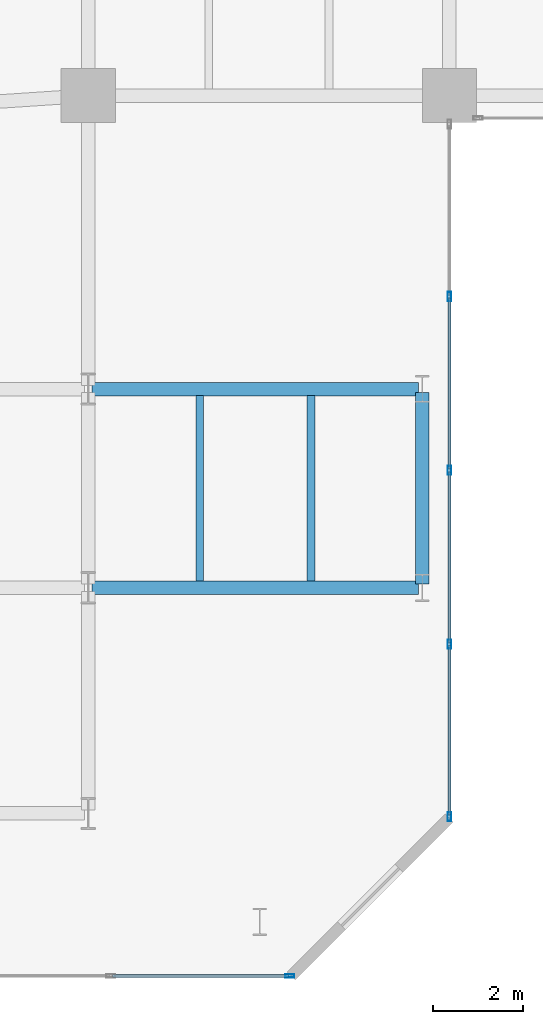
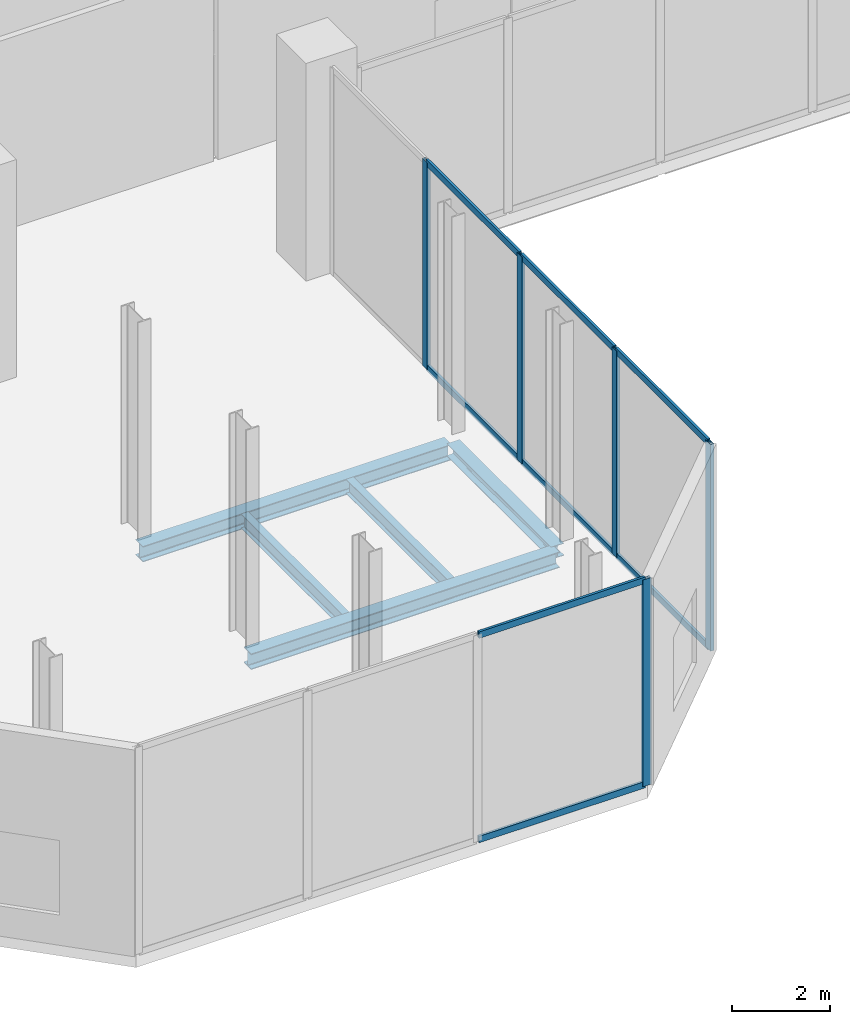
# One storey, part 4 of 18: 13 members, 5 beams, 2 elements without a shape of their own.
"""IFC4 building model written with IfcOpenShell, lengths in metres."""

from ifc_helpers import new_model, si_unit, direction, frame, origin, origin_2d, place, context, subcontext, project, spatial, hollow_rectangle, i_section, extrude, material, layer, layer_set, material_profile, profile_set, type_object, element, aggregate, save


model = new_model("IFC4")

# Units and contexts
model_context = context("Model", 3, precision=1e-05, world=origin(), true_north=direction((0.0, 1.0)))
body_context = subcontext(model_context, "Body", "Model", "MODEL_VIEW")
ifc_project = project(units=[si_unit("LENGTHUNIT", "METRE"), si_unit("AREAUNIT", "SQUARE_METRE"), si_unit("VOLUMEUNIT", "CUBIC_METRE"), si_unit("PLANEANGLEUNIT", "RADIAN"), si_unit("MASSUNIT", "GRAM", prefix="KILO")], contexts=[model_context])

# Site, building, storey
site_placement = place(None, origin())
site = spatial("IfcSite", under=ifc_project, at=site_placement, CompositionType="ELEMENT")
building_placement = place(site_placement, origin())
building = spatial("IfcBuilding", under=site, at=building_placement, Name="Catumbela Crestline Tower", CompositionType="ELEMENT")
storey_placement = place(building_placement, frame((0.0, 0.0, 148.8)))
storey = spatial("IfcBuildingStorey", under=building, at=storey_placement, Name="L38", CompositionType="ELEMENT", Elevation=148.8)

# Beams
ifc_material_1 = material(Name="Structural steel S355J2", Category="steel")
ifc_material_profile_1 = material_profile(ifc_material_1, i_section(OverallWidth=0.3, OverallDepth=0.39, WebThickness=0.011, FlangeThickness=0.019, FilletRadius=0.027, at=origin_2d()), Name="HEA 400")
ifc_profile_set_1 = profile_set([ifc_material_profile_1], Name="Structural steel S355J2")
beam_type_1 = type_object("IfcBeamType", Name="BG-HEA400", PredefinedType="BEAM", material=ifc_profile_set_1)
for number, where, z_axis, x_axis, name in (
    (1, (16.08, 13.6, -0.545), (1.0, 0.0, 0.0), (0.0, 1.0, 0.0), "L38 Beam BM-L38-WEW34"),
    (2, (16.08, 18.0, -0.545), (1.0, 0.0, 0.0), (0.0, 1.0, 0.0), "L38 Beam BM-L38-WEW36"),
):
    element("IfcBeam", number, at=place(storey_placement, frame(where, z_axis=z_axis, x_axis=x_axis)), inside=storey, type_object=beam_type_1, Name=name, PredefinedType="BEAM", context=body_context, shape_type="SweptSolid", body=[
        extrude(i_section(OverallWidth=0.3, OverallDepth=0.39, WebThickness=0.011, FlangeThickness=0.019, FilletRadius=0.027, at=origin_2d()), origin(), (0.0, 0.0, 1.0), 7.24),
    ])
ifc_material_profile_2 = material_profile(ifc_material_1, i_section(OverallWidth=0.17, OverallDepth=0.36, WebThickness=0.008, FlangeThickness=0.0127, FilletRadius=0.018, at=origin_2d()), Name="IPE 360")
ifc_profile_set_2 = profile_set([ifc_material_profile_2], Name="Structural steel S355J2")
beam_type_2 = type_object("IfcBeamType", Name="BJ-IPE360", PredefinedType="JOIST", material=ifc_profile_set_2)
for number, where, z_axis, x_axis, name in (
    (3, (18.467, 13.747, -0.53), (0.0, 1.0, 0.0), (-1.0, 0.0, 0.0), "L38 Joist JS-L38-WG48"),
    (4, (20.933, 13.747, -0.53), (0.0, 1.0, 0.0), (-1.0, 0.0, 0.0), "L38 Joist JS-L38-WG49"),
):
    element("IfcBeam", number, at=place(storey_placement, frame(where, z_axis=z_axis, x_axis=x_axis)), inside=storey, type_object=beam_type_2, Name=name, PredefinedType="JOIST", context=body_context, shape_type="SweptSolid", body=[
        extrude(i_section(OverallWidth=0.17, OverallDepth=0.36, WebThickness=0.008, FlangeThickness=0.0127, FilletRadius=0.018, at=origin_2d()), origin(), (0.0, 0.0, 1.0), 4.106),
    ])

# Curtain wall, member
ifc_material_2 = material(Name="Aluminium alloy AW-6060-T66", Category="aluminium")
ifc_layer = layer(ifc_material_2, 0.18, Name="Aluminium alloy AW-6060-T66")
ifc_layer_set = layer_set([ifc_layer], Name="Aluminium alloy AW-6060-T66")
curtain_wall_type = type_object("IfcCurtainWallType", Name="CWU-SKY", PredefinedType="USERDEFINED", material=ifc_layer_set)
curtain_wall_1_placement = place(storey_placement, origin())
curtain_wall_1 = element("IfcCurtainWall", 5, at=curtain_wall_1_placement, inside=storey, type_object=curtain_wall_type, Name="L38 Unitised Curtain Wall CW-L38-E0S1", ObjectType="UNITISED", PredefinedType="USERDEFINED")
ifc_material_profile_3 = material_profile(ifc_material_2, hollow_rectangle(XDim=0.075, YDim=0.2, WallThickness=0.005, at=origin_2d()), Name="ALU 200x75x5")
ifc_profile_set_3 = profile_set([ifc_material_profile_3], Name="Aluminium alloy AW-6060-T66")
member_type_1 = type_object("IfcMemberType", Name="MUL-200X75", PredefinedType="MULLION", material=ifc_profile_set_3)
member_1_placement = place(storey_placement, frame((20.4675, 5.0, 0.0), z_axis=(0.0, 0.0, 1.0), x_axis=(0.0, 1.0, 0.0)))
member_1 = element("IfcMember", 6, at=member_1_placement, type_object=member_type_1, Name="CWU-SKY mullion 4", PredefinedType="MULLION", context=body_context, shape_type="SweptSolid", body=[
    extrude(hollow_rectangle(XDim=0.075, YDim=0.2, WallThickness=0.005, at=origin_2d()), origin(), (0.0, 0.0, 1.0), 5.13),
])

# Curtain wall, members
curtain_wall_2_placement = place(storey_placement, origin())
curtain_wall_2 = element("IfcCurtainWall", 7, at=curtain_wall_2_placement, inside=storey, type_object=curtain_wall_type, Name="L38 Unitised Curtain Wall CW-L38-E2S1", ObjectType="UNITISED", PredefinedType="USERDEFINED")
member_2_placement = place(storey_placement, frame((24.0, 8.5325, 0.0), z_axis=(0.0, 0.0, 1.0), x_axis=(-1.0, 0.0, 0.0)))
member_2 = element("IfcMember", 8, at=member_2_placement, type_object=member_type_1, Name="CWU-SKY mullion 1", PredefinedType="MULLION", context=body_context, shape_type="SweptSolid", body=[
    extrude(hollow_rectangle(XDim=0.075, YDim=0.2, WallThickness=0.005, at=origin_2d()), origin(), (0.0, 0.0, 1.0), 5.13),
])
member_3_placement = place(storey_placement, frame((24.0, 12.35, 0.0), z_axis=(0.0, 0.0, 1.0), x_axis=(-1.0, 0.0, 0.0)))
member_3 = element("IfcMember", 9, at=member_3_placement, type_object=member_type_1, Name="CWU-SKY mullion 2", PredefinedType="MULLION", context=body_context, shape_type="SweptSolid", body=[
    extrude(hollow_rectangle(XDim=0.075, YDim=0.2, WallThickness=0.005, at=origin_2d()), origin(), (0.0, 0.0, 1.0), 5.13),
])
member_4_placement = place(storey_placement, frame((24.0, 16.2, 0.0), z_axis=(0.0, 0.0, 1.0), x_axis=(-1.0, 0.0, 0.0)))
member_4 = element("IfcMember", 10, at=member_4_placement, type_object=member_type_1, Name="CWU-SKY mullion 3", PredefinedType="MULLION", context=body_context, shape_type="SweptSolid", body=[
    extrude(hollow_rectangle(XDim=0.075, YDim=0.2, WallThickness=0.005, at=origin_2d()), origin(), (0.0, 0.0, 1.0), 5.13),
])
member_5_placement = place(storey_placement, frame((24.0, 20.05, 0.0), z_axis=(0.0, 0.0, 1.0), x_axis=(-1.0, 0.0, 0.0)))
member_5 = element("IfcMember", 11, at=member_5_placement, type_object=member_type_1, Name="CWU-SKY mullion 4", PredefinedType="MULLION", context=body_context, shape_type="SweptSolid", body=[
    extrude(hollow_rectangle(XDim=0.075, YDim=0.2, WallThickness=0.005, at=origin_2d()), origin(), (0.0, 0.0, 1.0), 5.13),
])

# Beam
ifc_material_profile_4 = material_profile(ifc_material_1, i_section(OverallWidth=0.3, OverallDepth=0.31, WebThickness=0.009, FlangeThickness=0.0155, FilletRadius=0.027, at=origin_2d()), Name="HEA 320")
ifc_profile_set_4 = profile_set([ifc_material_profile_4], Name="Structural steel S355J2")
beam_type_3 = type_object("IfcBeamType", Name="BS-HEA320", PredefinedType="SPANDREL", material=ifc_profile_set_4)
beam_placement = place(storey_placement, frame((23.4, 13.68, -0.505), z_axis=(0.0, 1.0, 0.0), x_axis=(-1.0, 0.0, 0.0)))
element("IfcBeam", 12, at=beam_placement, inside=storey, type_object=beam_type_3, Name="L38 Spandrel SP-L38-WNS43", PredefinedType="SPANDREL", context=body_context, shape_type="SweptSolid", body=[
    extrude(i_section(OverallWidth=0.3, OverallDepth=0.31, WebThickness=0.009, FlangeThickness=0.0155, FilletRadius=0.027, at=origin_2d()), origin(), (0.0, 0.0, 1.0), 4.24),
])

# Member
ifc_material_profile_5 = material_profile(ifc_material_2, hollow_rectangle(XDim=0.06, YDim=0.16, WallThickness=0.004, at=origin_2d()), Name="ALU 160x60x4")
ifc_profile_set_5 = profile_set([ifc_material_profile_5], Name="Aluminium alloy AW-6060-T66")
member_type_2 = type_object("IfcMemberType", Name="TRN-160X60", PredefinedType="USERDEFINED", material=ifc_profile_set_5)
member_6_placement = place(storey_placement, frame((16.5325, 5.0, 0.03), z_axis=(1.0, 0.0, 0.0), x_axis=(0.0, 1.0, 0.0)))
member_6 = element("IfcMember", 13, at=member_6_placement, type_object=member_type_2, Name="CWU-SKY transom 3.1", ObjectType="TRANSOM", PredefinedType="USERDEFINED", context=body_context, shape_type="SweptSolid", body=[
    extrude(hollow_rectangle(XDim=0.06, YDim=0.16, WallThickness=0.004, at=origin_2d()), origin(), (0.0, 0.0, 1.0), 3.9025),
])

member_7_placement = place(storey_placement, frame((16.5325, 5.0, 5.1), z_axis=(1.0, 0.0, 0.0), x_axis=(0.0, 1.0, 0.0)))
member_7 = element("IfcMember", 14, at=member_7_placement, type_object=member_type_2, Name="CWU-SKY transom 3.2", ObjectType="TRANSOM", PredefinedType="USERDEFINED", context=body_context, shape_type="SweptSolid", body=[
    extrude(hollow_rectangle(XDim=0.06, YDim=0.16, WallThickness=0.004, at=origin_2d()), origin(), (0.0, 0.0, 1.0), 3.9025),
])

aggregate(curtain_wall_1, [member_1, member_6, member_7])

member_8_placement = place(storey_placement, frame((24.0, 8.565, 0.03), z_axis=(0.0, 1.0, 0.0), x_axis=(-1.0, 0.0, 0.0)))
member_8 = element("IfcMember", 15, at=member_8_placement, type_object=member_type_2, Name="CWU-SKY transom 1.1", ObjectType="TRANSOM", PredefinedType="USERDEFINED", context=body_context, shape_type="SweptSolid", body=[
    extrude(hollow_rectangle(XDim=0.06, YDim=0.16, WallThickness=0.004, at=origin_2d()), origin(), (0.0, 0.0, 1.0), 3.7525),
])

member_9_placement = place(storey_placement, frame((24.0, 8.565, 5.1), z_axis=(0.0, 1.0, 0.0), x_axis=(-1.0, 0.0, 0.0)))
member_9 = element("IfcMember", 16, at=member_9_placement, type_object=member_type_2, Name="CWU-SKY transom 1.2", ObjectType="TRANSOM", PredefinedType="USERDEFINED", context=body_context, shape_type="SweptSolid", body=[
    extrude(hollow_rectangle(XDim=0.06, YDim=0.16, WallThickness=0.004, at=origin_2d()), origin(), (0.0, 0.0, 1.0), 3.7525),
])

member_10_placement = place(storey_placement, frame((24.0, 12.3825, 0.03), z_axis=(0.0, 1.0, 0.0), x_axis=(-1.0, 0.0, 0.0)))
member_10 = element("IfcMember", 17, at=member_10_placement, type_object=member_type_2, Name="CWU-SKY transom 2.1", ObjectType="TRANSOM", PredefinedType="USERDEFINED", context=body_context, shape_type="SweptSolid", body=[
    extrude(hollow_rectangle(XDim=0.06, YDim=0.16, WallThickness=0.004, at=origin_2d()), origin(), (0.0, 0.0, 1.0), 3.785),
])

member_11_placement = place(storey_placement, frame((24.0, 12.3825, 5.1), z_axis=(0.0, 1.0, 0.0), x_axis=(-1.0, 0.0, 0.0)))
member_11 = element("IfcMember", 18, at=member_11_placement, type_object=member_type_2, Name="CWU-SKY transom 2.2", ObjectType="TRANSOM", PredefinedType="USERDEFINED", context=body_context, shape_type="SweptSolid", body=[
    extrude(hollow_rectangle(XDim=0.06, YDim=0.16, WallThickness=0.004, at=origin_2d()), origin(), (0.0, 0.0, 1.0), 3.785),
])

member_12_placement = place(storey_placement, frame((24.0, 16.2325, 0.03), z_axis=(0.0, 1.0, 0.0), x_axis=(-1.0, 0.0, 0.0)))
member_12 = element("IfcMember", 19, at=member_12_placement, type_object=member_type_2, Name="CWU-SKY transom 3.1", ObjectType="TRANSOM", PredefinedType="USERDEFINED", context=body_context, shape_type="SweptSolid", body=[
    extrude(hollow_rectangle(XDim=0.06, YDim=0.16, WallThickness=0.004, at=origin_2d()), origin(), (0.0, 0.0, 1.0), 3.785),
])

member_13_placement = place(storey_placement, frame((24.0, 16.2325, 5.1), z_axis=(0.0, 1.0, 0.0), x_axis=(-1.0, 0.0, 0.0)))
member_13 = element("IfcMember", 20, at=member_13_placement, type_object=member_type_2, Name="CWU-SKY transom 3.2", ObjectType="TRANSOM", PredefinedType="USERDEFINED", context=body_context, shape_type="SweptSolid", body=[
    extrude(hollow_rectangle(XDim=0.06, YDim=0.16, WallThickness=0.004, at=origin_2d()), origin(), (0.0, 0.0, 1.0), 3.785),
])

aggregate(curtain_wall_2, [member_2, member_3, member_4, member_5, member_8, member_9, member_10, member_11, member_12, member_13])

save(model, "model.ifc")
